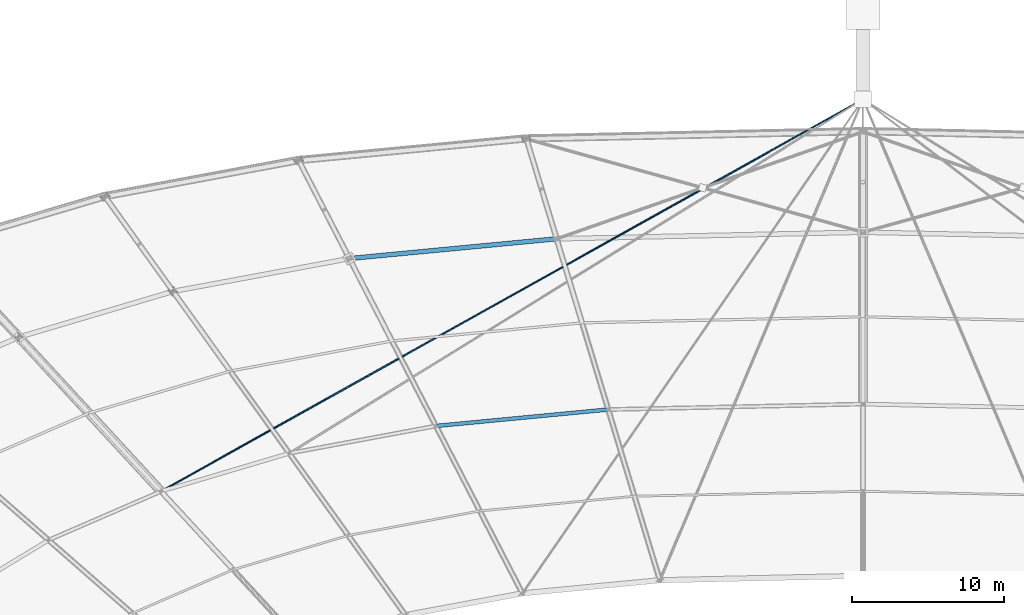
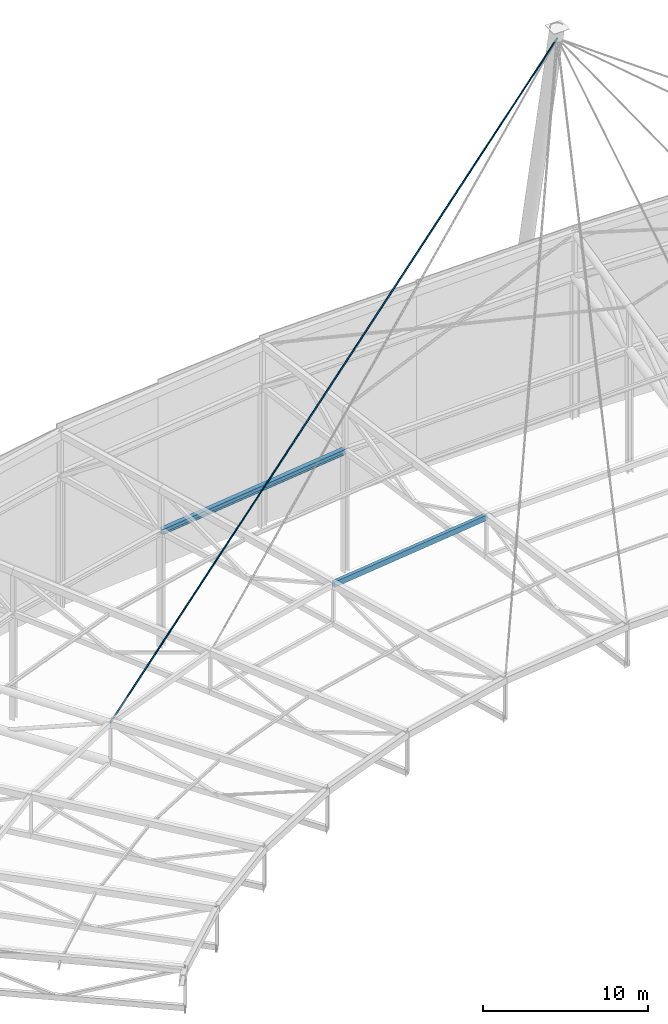
# One storey, part 90 of 143: 2 beams, 1 member.
"""IFC4 building model written with IfcOpenShell, lengths in metres."""

from ifc_helpers import new_model, si_unit, direction, frame, origin, origin_2d, place, context, subcontext, project, spatial, hollow_rectangle, circle, i_section, extrude, material, material_profile, profile_set, type_object, element, save


model = new_model("IFC4")

# Units and contexts
model_context = context("Model", 3, precision=1e-05, world=origin(), true_north=direction((0.0, 1.0)))
body_context = subcontext(model_context, "Body", "Model", "MODEL_VIEW")
ifc_project = project(units=[si_unit("LENGTHUNIT", "METRE"), si_unit("AREAUNIT", "SQUARE_METRE"), si_unit("VOLUMEUNIT", "CUBIC_METRE"), si_unit("PLANEANGLEUNIT", "RADIAN"), si_unit("MASSUNIT", "GRAM", prefix="KILO")], contexts=[model_context])

# Site, building, storey
site_placement = place(None, origin())
site = spatial("IfcSite", under=ifc_project, at=site_placement, CompositionType="ELEMENT")
building_placement = place(site_placement, origin())
building = spatial("IfcBuilding", under=site, at=building_placement, Name="Mphavela Belvedere Stadium", CompositionType="ELEMENT")
storey_placement = place(building_placement, frame((0.0, 0.0, 28.800048828125)))
storey = spatial("IfcBuildingStorey", under=building, at=storey_placement, Name="RF", CompositionType="ELEMENT", Elevation=28.800048828125)

# Beams
ifc_material_1 = material(Name="Steel S355", Category="steel")
ifc_material_profile_1 = material_profile(ifc_material_1, hollow_rectangle(XDim=0.25, YDim=0.39990234375, WallThickness=0.01611328125, at=origin_2d()), Name="RHS 400x250x16")
ifc_profile_set_1 = profile_set([ifc_material_profile_1], Name="Steel S355")
beam_type_1 = type_object("IfcBeamType", Name="BM-RING-MID", PredefinedType="BEAM", material=ifc_profile_set_1)
beam_1_placement = place(storey_placement, frame((98.257568359375, 142.413330078125, 9.63427734375), z_axis=(-0.994978032266, -0.09487523632, -0.031896784175), x_axis=(0.094923536441, -0.995484566545, 0.0)))
element("IfcBeam", 1, at=beam_1_placement, inside=storey, type_object=beam_type_1, Name="Intermediate roof ring beam RB-MID-14", PredefinedType="BEAM", context=body_context, shape_type="SweptSolid", body=[
    extrude(hollow_rectangle(XDim=0.25, YDim=0.39990234375, WallThickness=0.01611328125, at=origin_2d()), origin(), (0.0, 0.0, 1.0), 11.381591796875),
])
ifc_material_2 = material(Name="Steel S355", Category="steel")
ifc_material_profile_2 = material_profile(ifc_material_2, i_section(OverallWidth=0.300048828125, OverallDepth=0.39990234375, WebThickness=0.013427734375, FlangeThickness=0.02392578125, at=origin_2d()), Name="HEB 400")
ifc_profile_set_2 = profile_set([ifc_material_profile_2], Name="Steel S355")
beam_type_2 = type_object("IfcBeamType", Name="BM-STEEL-HEB400", PredefinedType="BEAM", material=ifc_profile_set_2)
beam_2_placement = place(storey_placement, frame((94.8671875, 153.634033203125, 8.922119140625), z_axis=(-0.994977349993, -0.094882918131, -0.031895216698), x_axis=(0.094931217412, -0.995483834103, 0.0)))
element("IfcBeam", 2, at=beam_2_placement, inside=storey, type_object=beam_type_2, Name="Roof bottom-chord tie girder R3-14", PredefinedType="BEAM", context=body_context, shape_type="SweptSolid", body=[
    extrude(i_section(OverallWidth=0.300048828125, OverallDepth=0.39990234375, WebThickness=0.013427734375, FlangeThickness=0.02392578125, at=origin_2d()), origin(), (0.0, 0.0, 1.0), 13.686279296875),
])

# Member
ifc_material_3 = material(Name="Steel S355", Category="steel")
ifc_material_profile_3 = material_profile(ifc_material_3, circle(Radius=0.047607421875, at=origin_2d()), Name="CABLE D95")
ifc_profile_set_3 = profile_set([ifc_material_profile_3], Name="Steel S355")
member_type = type_object("IfcMemberType", Name="MEM-CABLE-95", PredefinedType="USERDEFINED", material=ifc_profile_set_3)
member_placement = place(storey_placement, frame((115.0, 162.800048828125, 26.800048828125), z_axis=(-0.822279699837, -0.459206177006, -0.336133577964), x_axis=(0.487576124204, -0.873080479169, 0.0)))
element("IfcMember", 3, at=member_placement, inside=storey, type_object=member_type, Name="North mast fan stay cable MSC-08", ObjectType="STAY CABLE", PredefinedType="USERDEFINED", context=body_context, shape_type="SweptSolid", body=[
    extrude(circle(Radius=0.047607421875, at=origin_2d()), origin(), (0.0, 0.0, 1.0), 56.105224609375),
])

save(model, "model.ifc")
